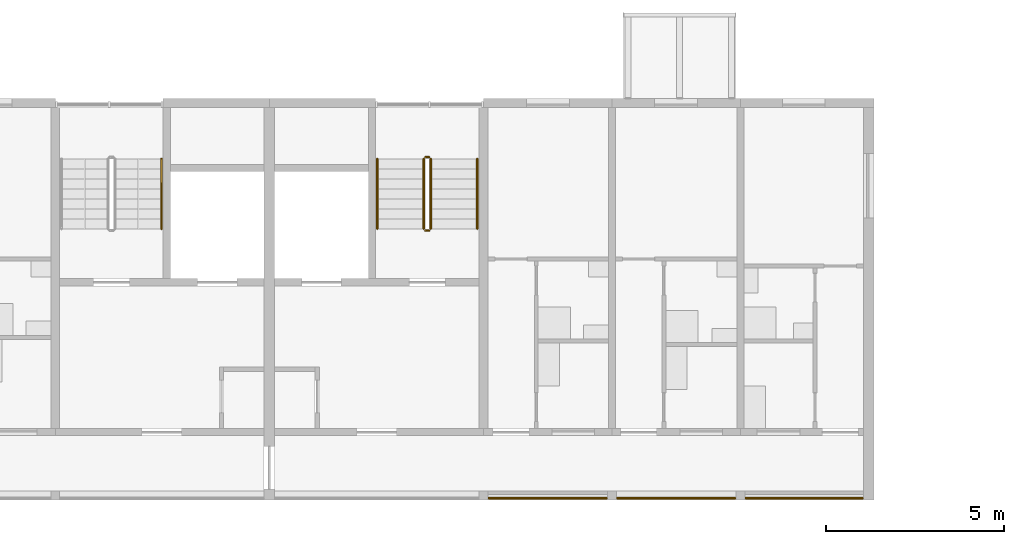
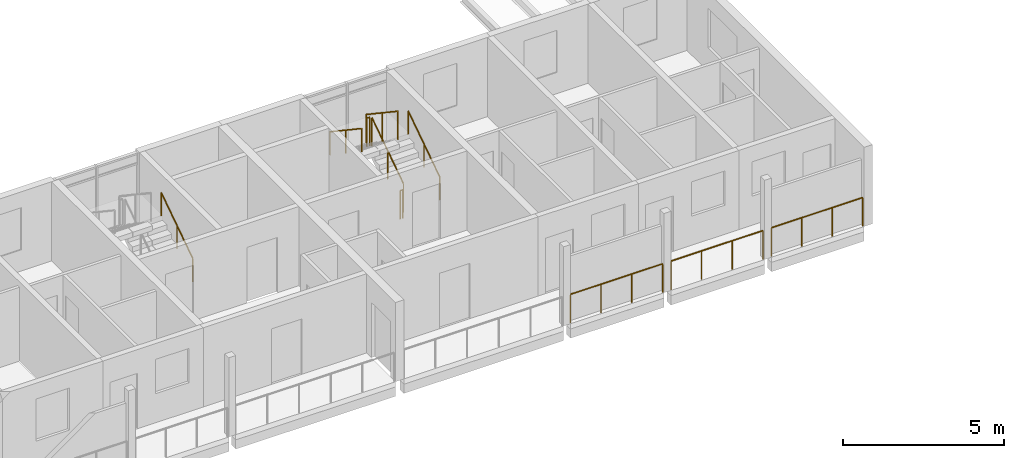
# One storey, part 79 of 94: 10 railings.
"""IFC4 building model written with IfcOpenShell, lengths in metres."""

import ifcopenshell
import ifcopenshell.guid

model = None  # the IFC model being written
_history = None  # IfcOwnerHistory: only IFC2X3 demands one
_inside = {}  # id of a spatial element -> (the spatial element, [elements in it])
_under = {}  # id of a project, library or spatial element -> (it, [spatial elements below it])
_declared = {}  # id of a project -> (the project, [libraries it declares])
_typed = {}  # id of a type object -> (the type object, [elements of that type])
_made_of = {}  # id of a material, layer set ... -> (it, [elements and type objects made of it])


def new_model(schema):
    """Start an empty IFC model of exactly this schema.

    Asked for "IFC4X3", IfcOpenShell would pick the latest addendum, in which some entities
    have other attributes; the version numbers below select the first issue.
    IFC2X3 requires an IfcOwnerHistory on every rooted entity: one is made here for all.
    """
    global model, _history
    if schema == "IFC4X3":
        model = ifcopenshell.file(schema_version=(4, 3, 0, 0))
    else:
        model = ifcopenshell.file(schema=schema)
    _inside.clear()
    _under.clear()
    _declared.clear()
    _typed.clear()
    _made_of.clear()
    _history = None
    if model.schema == "IFC2X3":
        org = make("IfcOrganization", Name="unknown")
        user = make(
            "IfcPersonAndOrganization",
            ThePerson=make("IfcPerson", FamilyName="unknown"),
            TheOrganization=org,
        )
        app = make(
            "IfcApplication",
            ApplicationDeveloper=org,
            Version="unknown",
            ApplicationFullName="unknown",
            ApplicationIdentifier="unknown",
        )
        _history = make(
            "IfcOwnerHistory",
            OwningUser=user,
            OwningApplication=app,
            ChangeAction="ADDED",
            CreationDate=0,
        )
    return model


def make(cls, **values):
    """One entity of the class cls with the attributes given. An attribute that is None is left unset."""
    return model.create_entity(
        cls, **{name: value for name, value in values.items() if value is not None}
    )


def rooted(cls, **values):
    """An entity with a GlobalId (a new one), such as an element, a storey or a relation."""
    return make(cls, GlobalId=ifcopenshell.guid.new(), OwnerHistory=_history, **values)


def si_unit(unit_type, name, prefix=None):
    """IfcSIUnit, for example si_unit("LENGTHUNIT", "METRE", prefix="MILLI")."""
    return make("IfcSIUnit", UnitType=unit_type, Prefix=prefix, Name=name)


def assignment(units):
    """IfcUnitAssignment: the units of a project."""
    return None if units is None else make("IfcUnitAssignment", Units=units)


def point(xyz):
    """IfcCartesianPoint."""
    return None if xyz is None else make("IfcCartesianPoint", Coordinates=xyz)


def direction(xyz):
    """IfcDirection."""
    return None if xyz is None else make("IfcDirection", DirectionRatios=xyz)


def frame(location, z_axis=None, x_axis=None):
    """IfcAxis2Placement3D, a coordinate frame: its origin and axes. An axis left out is left unset."""
    return make(
        "IfcAxis2Placement3D",
        Location=point(location),
        Axis=direction(z_axis),
        RefDirection=direction(x_axis),
    )


def frame_2d(location, x_axis=None):
    """IfcAxis2Placement2D, a coordinate frame in the plane: its origin and x axis."""
    return make(
        "IfcAxis2Placement2D", Location=point(location), RefDirection=direction(x_axis)
    )


def origin():
    """The frame at (0, 0, 0) with its axes left unset."""
    return frame((0.0, 0.0, 0.0))


def origin_2d():
    """The frame at (0, 0) in the plane with its x axis left unset."""
    return frame_2d((0.0, 0.0))


def place(relative_to, where):
    """IfcLocalPlacement: puts the frame where relative to a parent placement (None: the world)."""
    return make(
        "IfcLocalPlacement", PlacementRelTo=relative_to, RelativePlacement=where
    )


def context(
    kind, dimensions, precision=None, world=None, true_north=None, identifier=None
):
    """IfcGeometricRepresentationContext, for example the 3D "Model" context."""
    return make(
        "IfcGeometricRepresentationContext",
        ContextIdentifier=identifier,
        ContextType=kind,
        CoordinateSpaceDimension=dimensions,
        Precision=precision,
        WorldCoordinateSystem=world,
        TrueNorth=true_north,
    )


def subcontext(parent, identifier, kind, view, scale=None):
    """IfcGeometricRepresentationSubContext, for example "Body" below "Model"."""
    return make(
        "IfcGeometricRepresentationSubContext",
        ContextIdentifier=identifier,
        ContextType=kind,
        ParentContext=parent,
        TargetScale=scale,
        TargetView=view,
    )


def project(units=None, contexts=None):
    """IfcProject with its units and contexts."""
    return rooted(
        "IfcProject",
        Name="project",
        RepresentationContexts=contexts,
        UnitsInContext=assignment(units),
    )


def spatial(cls, under=None, at=None, **own):
    """A site, building, storey or space (cls), placed at a placement, below another one or the project."""
    s = rooted(cls, ObjectPlacement=at, **own)
    if under is not None:
        _under.setdefault(under.id(), (under, []))[1].append(s)
    return s


def profile(cls, at=None, kind="AREA", **sizes):
    """A parametric profile (cls). Its sizes go by their IFC names, for example OverallWidth=200.0."""
    return make(cls, ProfileType=kind, Position=at, **sizes)


def circle(**sizes):
    """IfcCircleProfileDef."""
    return profile("IfcCircleProfileDef", **sizes)


def extrude(swept, where, along, depth):
    """IfcExtrudedAreaSolid: the profile swept, set in the frame where, extruded along a direction by depth."""
    return make(
        "IfcExtrudedAreaSolid",
        SweptArea=swept,
        Position=where,
        ExtrudedDirection=direction(along),
        Depth=depth,
    )


def shape(context_of_items, identifier, shape_type, items):
    """IfcShapeRepresentation: the items that make up one representation, for example the "Body"."""
    return make(
        "IfcShapeRepresentation",
        ContextOfItems=context_of_items,
        RepresentationIdentifier=identifier,
        RepresentationType=shape_type,
        Items=items,
    )


def material(Name=None, Category=None):
    """IfcMaterial."""
    return make("IfcMaterial", Name=Name, Category=Category)


def made_of(thing, what):
    """Note that an element or type object is made of a material, layer set ...; save() writes the relation."""
    if what is not None:
        _made_of.setdefault(what.id(), (what, []))[1].append(thing)
    return thing


def type_object(cls, material=None, **own):
    """A type object (cls), such as IfcWallType, which elements share."""
    return made_of(rooted(cls, **own), material)


def element(
    cls,
    number,
    at=None,
    inside=None,
    cuts=None,
    type_object=None,
    material=None,
    context=None,
    identifier="Body",
    shape_type=None,
    held_by="IfcProductDefinitionShape",
    body=None,
    shapes=None,
    **own,
):
    """One element of the class cls, such as IfcWall. Its Tag is "e" and its number.

    at: its placement. inside: the storey or other place that contains it. cuts: it is an
    opening in that element (IfcRelVoidsElement). A single representation is given by context,
    identifier, shape_type and body (its items); several are given by shapes. held_by: the class
    of the entity that holds the representations. save() writes the other relations.
    """
    e = rooted(cls, Tag="e%d" % number, ObjectPlacement=at, **own)
    if body is not None:
        shapes = [shape(context, identifier, shape_type, body)]
    if shapes is not None:
        e.Representation = make(held_by, Representations=shapes)
    if inside is not None:
        _inside.setdefault(inside.id(), (inside, []))[1].append(e)
    if cuts is not None:
        rooted(
            "IfcRelVoidsElement", RelatingBuildingElement=cuts, RelatedOpeningElement=e
        )
    if type_object is not None:
        _typed.setdefault(type_object.id(), (type_object, []))[1].append(e)
    return made_of(e, material)


def aggregate(whole, parts):
    """IfcRelAggregates: a whole, such as a stair, and the parts it consists of."""
    return rooted("IfcRelAggregates", RelatingObject=whole, RelatedObjects=parts)


def save(model, path):
    """Write the relations noted so far, then the file.

    IfcRelAggregates (storeys below a building ...), IfcRelContainedInSpatialStructure (elements
    in a storey), IfcRelDefinesByType, IfcRelAssociatesMaterial and IfcRelDeclares: one each for
    every whole, place, type object, material and project.
    """
    for whole, parts in _under.values():
        aggregate(whole, parts)
    for where, things in _inside.values():
        rooted(
            "IfcRelContainedInSpatialStructure",
            RelatedElements=things,
            RelatingStructure=where,
        )
    for kind, things in _typed.values():
        rooted("IfcRelDefinesByType", RelatedObjects=things, RelatingType=kind)
    for what, things in _made_of.values():
        rooted("IfcRelAssociatesMaterial", RelatedObjects=things, RelatingMaterial=what)
    for by, libraries in _declared.values():
        rooted("IfcRelDeclares", RelatingContext=by, RelatedDefinitions=libraries)
    model.write(path)


model = new_model("IFC4")

# Units and contexts
model_context = context("Model", 3, precision=1e-05, world=origin(), true_north=direction((0.0, 1.0)))
body_context = subcontext(model_context, "Body", "Model", "MODEL_VIEW")
ifc_project = project(units=[si_unit("LENGTHUNIT", "METRE"), si_unit("AREAUNIT", "SQUARE_METRE"), si_unit("VOLUMEUNIT", "CUBIC_METRE"), si_unit("PLANEANGLEUNIT", "RADIAN"), si_unit("MASSUNIT", "GRAM", prefix="KILO")], contexts=[model_context])

# Site, building, storey
site_placement = place(None, origin())
site = spatial("IfcSite", under=ifc_project, at=site_placement, CompositionType="ELEMENT")
building_placement = place(site_placement, origin())
building = spatial("IfcBuilding", under=site, at=building_placement, Name="Ridgestep Commons", CompositionType="ELEMENT")
storey_placement = place(building_placement, frame((0.0, 0.0, 21.0)))
storey = spatial("IfcBuildingStorey", under=building, at=storey_placement, Name="L07", CompositionType="ELEMENT", Elevation=21.0)

# Railings
ifc_material_1 = material(Name="Structural steel S355JR", Category="steel")
railing_type_1 = type_object("IfcRailingType", Name="Guard 1100", PredefinedType="GUARDRAIL", material=ifc_material_1)
railing_1_placement = place(storey_placement, frame((102.14599609375, 11.800048828125, 0.0)))
element("IfcRailing", 1, at=railing_1_placement, inside=storey, type_object=railing_type_1, Name="Gallery guard A 07.22", PredefinedType="GUARDRAIL", context=body_context, shape_type="SweptSolid", body=[
    extrude(circle(Radius=0.02392578125, at=origin_2d()), frame((0.0, 0.0, 1.076171875), z_axis=(1.0, 0.0, 0.0), x_axis=(0.0, 1.0, 0.0)), (0.0, 0.0, 1.0), 3.30810546875),
    extrude(circle(Radius=0.02099609375, at=origin_2d()), origin(), (0.0, 0.0, 1.0), 1.052001953125),
    extrude(circle(Radius=0.02099609375, at=origin_2d()), frame((1.102783203125, 0.0, 0.0)), (0.0, 0.0, 1.0), 1.052001953125),
    extrude(circle(Radius=0.02099609375, at=origin_2d()), frame((2.205322265625, 0.0, 0.0)), (0.0, 0.0, 1.0), 1.052001953125),
    extrude(circle(Radius=0.02099609375, at=origin_2d()), frame((3.30810546875, 0.0, 0.0)), (0.0, 0.0, 1.0), 1.052001953125),
])
railing_2_placement = place(storey_placement, frame((105.74609375, 11.800048828125, 0.0)))
element("IfcRailing", 2, at=railing_2_placement, inside=storey, type_object=railing_type_1, Name="Gallery guard A 07.23", PredefinedType="GUARDRAIL", context=body_context, shape_type="SweptSolid", body=[
    extrude(circle(Radius=0.02392578125, at=origin_2d()), frame((0.0, 0.0, 1.076171875), z_axis=(1.0, 0.0, 0.0), x_axis=(0.0, 1.0, 0.0)), (0.0, 0.0, 1.0), 3.307861328125),
    extrude(circle(Radius=0.02099609375, at=origin_2d()), origin(), (0.0, 0.0, 1.0), 1.052001953125),
    extrude(circle(Radius=0.02099609375, at=origin_2d()), frame((1.1025390625, 0.0, 0.0)), (0.0, 0.0, 1.0), 1.052001953125),
    extrude(circle(Radius=0.02099609375, at=origin_2d()), frame((2.205322265625, 0.0, 0.0)), (0.0, 0.0, 1.0), 1.052001953125),
    extrude(circle(Radius=0.02099609375, at=origin_2d()), frame((3.307861328125, 0.0, 0.0)), (0.0, 0.0, 1.0), 1.052001953125),
])
railing_3_placement = place(storey_placement, frame((109.345947265625, 11.800048828125, 0.0)))
element("IfcRailing", 3, at=railing_3_placement, inside=storey, type_object=railing_type_1, Name="Gallery guard A 07.24", PredefinedType="GUARDRAIL", context=body_context, shape_type="SweptSolid", body=[
    extrude(circle(Radius=0.02392578125, at=origin_2d()), frame((0.0, 0.0, 1.076171875), z_axis=(1.0, 0.0, 0.0), x_axis=(0.0, 1.0, 0.0)), (0.0, 0.0, 1.0), 3.282958984375),
    extrude(circle(Radius=0.02099609375, at=origin_2d()), origin(), (0.0, 0.0, 1.0), 1.052001953125),
    extrude(circle(Radius=0.02099609375, at=origin_2d()), frame((1.09423828125, 0.0, 0.0)), (0.0, 0.0, 1.0), 1.052001953125),
    extrude(circle(Radius=0.02099609375, at=origin_2d()), frame((2.188720703125, 0.0, 0.0)), (0.0, 0.0, 1.0), 1.052001953125),
    extrude(circle(Radius=0.02099609375, at=origin_2d()), frame((3.282958984375, 0.0, 0.0)), (0.0, 0.0, 1.0), 1.052001953125),
])
ifc_material_2 = material(Name="Structural steel S355JR", Category="steel")
railing_type_2 = type_object("IfcRailingType", Name="Stair guard 1100", PredefinedType="GUARDRAIL", material=ifc_material_2)
railing_4_placement = place(storey_placement, frame((100.52490234375, 19.35009765625, 0.1875)))
element("IfcRailing", 4, at=railing_4_placement, inside=storey, type_object=railing_type_2, Name="L07 A6C stair guard 1", PredefinedType="GUARDRAIL", context=body_context, shape_type="SweptSolid", body=[
    extrude(circle(Radius=0.02392578125, at=origin_2d()), frame((0.0, 0.0, 1.076171875), z_axis=(0.0, 0.830902050051, 0.556418712142), x_axis=(-1.0, 0.0, 0.0)), (0.0, 0.0, 1.0), 2.35888671875),
    extrude(circle(Radius=0.02099609375, at=origin_2d()), origin(), (0.0, 0.0, 1.0), 1.052001953125),
    extrude(circle(Radius=0.02099609375, at=origin_2d()), frame((0.0, 0.97998046875, 0.65625)), (0.0, 0.0, 1.0), 1.052001953125),
    extrude(circle(Radius=0.02099609375, at=origin_2d()), frame((0.0, 1.9599609375, 1.3125)), (0.0, 0.0, 1.0), 1.052001953125),
])
railing_5_placement = place(storey_placement, frame((100.47509765625, 21.360107421875, 1.5)))
element("IfcRailing", 5, at=railing_5_placement, inside=storey, type_object=railing_type_2, Name="L07 A6C stair guard 2", PredefinedType="GUARDRAIL", context=body_context, shape_type="SweptSolid", body=[
    extrude(circle(Radius=0.02392578125, at=origin_2d()), frame((0.0, 0.0, 1.076171875), z_axis=(-1.0, 0.0, 0.0), x_axis=(0.0, -1.0, 0.0)), (0.0, 0.0, 1.0), 0.10009765625),
    extrude(circle(Radius=0.02099609375, at=origin_2d()), origin(), (0.0, 0.0, 1.0), 1.052001953125),
    extrude(circle(Radius=0.02099609375, at=origin_2d()), frame((-0.10009765625, 0.0, 0.0)), (0.0, 0.0, 1.0), 1.052001953125),
])
railing_6_placement = place(storey_placement, frame((100.324951171875, 21.31005859375, 1.6875)))
element("IfcRailing", 6, at=railing_6_placement, inside=storey, type_object=railing_type_2, Name="L07 A6C stair guard 3", PredefinedType="GUARDRAIL", context=body_context, shape_type="SweptSolid", body=[
    extrude(circle(Radius=0.02392578125, at=origin_2d()), frame((0.0, 0.0, 1.076171875), z_axis=(0.0, -0.830902050051, 0.556418712142), x_axis=(1.0, 0.0, 0.0)), (0.0, 0.0, 1.0), 2.35888671875),
    extrude(circle(Radius=0.02099609375, at=origin_2d()), origin(), (0.0, 0.0, 1.0), 1.052001953125),
    extrude(circle(Radius=0.02099609375, at=origin_2d()), frame((0.0, -0.97998046875, 0.65625)), (0.0, 0.0, 1.0), 1.052001953125),
    extrude(circle(Radius=0.02099609375, at=origin_2d()), frame((0.0, -1.9599609375, 1.3125)), (0.0, 0.0, 1.0), 1.052001953125),
])
railing_7_placement = place(storey_placement, frame((100.47509765625, 19.300048828125, 0.0)))
element("IfcRailing", 7, at=railing_7_placement, inside=storey, type_object=railing_type_2, Name="L07 A6C stair guard 4", PredefinedType="GUARDRAIL", context=body_context, shape_type="SweptSolid", body=[
    extrude(circle(Radius=0.02392578125, at=origin_2d()), frame((0.0, 0.0, 1.076171875), z_axis=(-1.0, 0.0, 0.0), x_axis=(0.0, -1.0, 0.0)), (0.0, 0.0, 1.0), 0.10009765625),
    extrude(circle(Radius=0.02099609375, at=origin_2d()), origin(), (0.0, 0.0, 1.0), 1.052001953125),
    extrude(circle(Radius=0.02099609375, at=origin_2d()), frame((-0.10009765625, 0.0, 0.0)), (0.0, 0.0, 1.0), 1.052001953125),
])
ifc_material_3 = material(Name="Structural steel S355JR", Category="steel")
railing_type_3 = type_object("IfcRailingType", Name="Stair handrail 900", PredefinedType="HANDRAIL", material=ifc_material_3)
for number, where, name in (
    (8, (92.97509765625, 19.35009765625, 0.1875), "L07 A5C stair handrail 1"),
    (9, (101.824951171875, 19.35009765625, 0.1875), "L07 A6C stair handrail 1"),
):
    element("IfcRailing", number, at=place(storey_placement, frame(where)), inside=storey, type_object=railing_type_3, Name=name, PredefinedType="HANDRAIL", context=body_context, shape_type="SweptSolid", body=[
        extrude(circle(Radius=0.02392578125, at=origin_2d()), frame((0.0, 0.0, 0.8759765625), z_axis=(0.0, 0.830902050051, 0.556418712142), x_axis=(-1.0, 0.0, 0.0)), (0.0, 0.0, 1.0), 2.35888671875),
        extrude(circle(Radius=0.02099609375, at=origin_2d()), origin(), (0.0, 0.0, 1.0), 0.851806640625),
        extrude(circle(Radius=0.02099609375, at=origin_2d()), frame((0.0, 0.97998046875, 0.65625)), (0.0, 0.0, 1.0), 0.851806640625),
        extrude(circle(Radius=0.02099609375, at=origin_2d()), frame((0.0, 1.9599609375, 1.3125)), (0.0, 0.0, 1.0), 0.851806640625),
    ])
railing_8_placement = place(storey_placement, frame((99.02490234375, 21.31005859375, 1.6875)))
element("IfcRailing", 10, at=railing_8_placement, inside=storey, type_object=railing_type_3, Name="L07 A6C stair handrail 2", PredefinedType="HANDRAIL", context=body_context, shape_type="SweptSolid", body=[
    extrude(circle(Radius=0.02392578125, at=origin_2d()), frame((0.0, 0.0, 0.8759765625), z_axis=(0.0, -0.830902050051, 0.556418712142), x_axis=(1.0, 0.0, 0.0)), (0.0, 0.0, 1.0), 2.35888671875),
    extrude(circle(Radius=0.02099609375, at=origin_2d()), origin(), (0.0, 0.0, 1.0), 0.851806640625),
    extrude(circle(Radius=0.02099609375, at=origin_2d()), frame((0.0, -0.97998046875, 0.65625)), (0.0, 0.0, 1.0), 0.851806640625),
    extrude(circle(Radius=0.02099609375, at=origin_2d()), frame((0.0, -1.9599609375, 1.3125)), (0.0, 0.0, 1.0), 0.851806640625),
])

save(model, "model.ifc")
